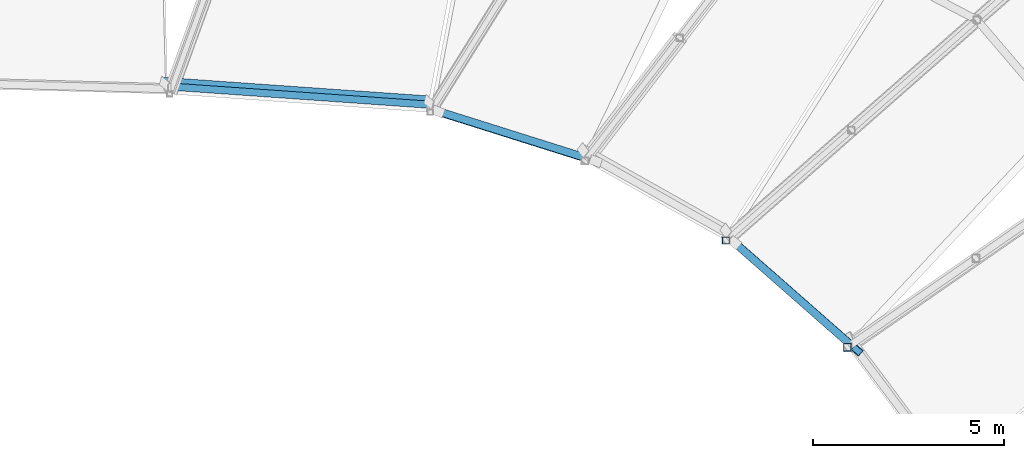
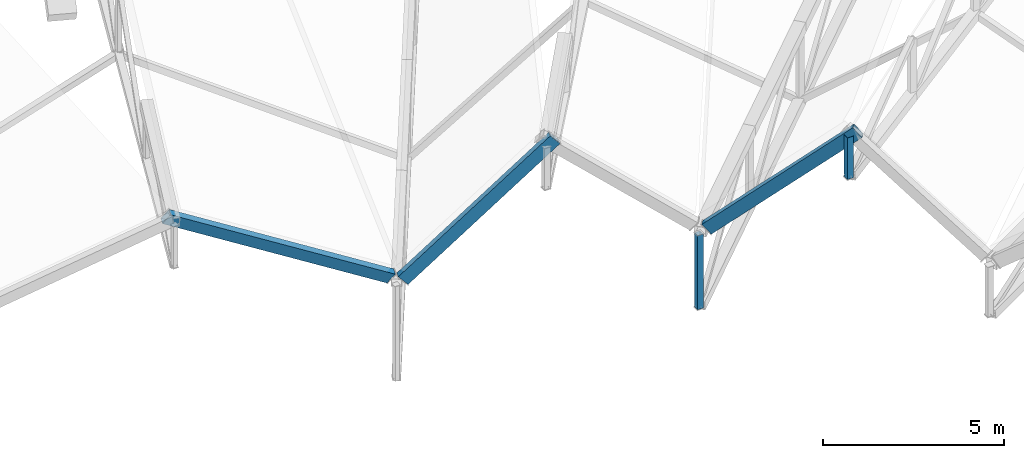
# One storey, part 184 of 344: 3 beams, 2 members.
"""IFC4 building model written with IfcOpenShell, lengths in metres."""

from ifc_helpers import new_model, si_unit, direction, frame, origin, origin_2d, place, context, subcontext, project, spatial, hollow_rectangle, extrude, material, material_profile, profile_set, type_object, element, save


model = new_model("IFC4")

# Units and contexts
model_context = context("Model", 3, precision=1e-05, world=origin(), true_north=direction((0.0, 1.0)))
body_context = subcontext(model_context, "Body", "Model", "MODEL_VIEW")
ifc_project = project(units=[si_unit("LENGTHUNIT", "METRE"), si_unit("AREAUNIT", "SQUARE_METRE"), si_unit("VOLUMEUNIT", "CUBIC_METRE"), si_unit("PLANEANGLEUNIT", "RADIAN"), si_unit("MASSUNIT", "GRAM", prefix="KILO")], contexts=[model_context])

# Site, building, storey
site_placement = place(None, origin())
site = spatial("IfcSite", under=ifc_project, at=site_placement, CompositionType="ELEMENT")
building_placement = place(site_placement, origin())
building = spatial("IfcBuilding", under=site, at=building_placement, Name="Meseta Stadium", CompositionType="ELEMENT")
storey_placement = place(building_placement, frame((0.0, 0.0, 24.0)))
storey = spatial("IfcBuildingStorey", under=building, at=storey_placement, Name="L04", CompositionType="ELEMENT", Elevation=24.0)

# Beams
ifc_material_1 = material(Name="Steel S355", Category="steel")
ifc_material_profile_1 = material_profile(ifc_material_1, hollow_rectangle(XDim=0.199951171875, YDim=0.39990234375, WallThickness=0.01611328125, at=origin_2d()), Name="RHS 400x200x16")
ifc_profile_set_1 = profile_set([ifc_material_profile_1], Name="Steel S355")
beam_type = type_object("IfcBeamType", Name="RHS 400x200x16 tip ring beam", PredefinedType="BEAM", material=ifc_profile_set_1)
beam_1_placement = place(storey_placement, frame((41.82958984375, 58.88818359375, 7.40087890625), z_axis=(-0.5573991358, 0.489817526643, -0.670361838116), x_axis=(-0.65163872877, -0.758429172946, -0.012335185099)))
element("IfcBeam", 1, at=beam_1_placement, inside=storey, type_object=beam_type, Name="TIP RING BEAM 13", PredefinedType="BEAM", context=body_context, shape_type="SweptSolid", body=[
    extrude(hollow_rectangle(XDim=0.199951171875, YDim=0.39990234375, WallThickness=0.01611328125, at=origin_2d()), origin(), (0.0, 0.0, 1.0), 5.7294921875),
])
beam_2_placement = place(storey_placement, frame((34.994873046875, 63.824951171875, 6.561279296875), z_axis=(-0.69026698527, 0.217462243499, -0.69010264577), x_axis=(-0.327082704871, -0.944534437686, 0.029522875863)))
element("IfcBeam", 2, at=beam_2_placement, inside=storey, type_object=beam_type, Name="TIP RING BEAM 15", PredefinedType="BEAM", context=body_context, shape_type="SweptSolid", body=[
    extrude(hollow_rectangle(XDim=0.199951171875, YDim=0.39990234375, WallThickness=0.01611328125, at=origin_2d()), origin(), (0.0, 0.0, 1.0), 5.9423828125),
])
beam_3_placement = place(storey_placement, frame((30.6474609375, 65.365478515625, 2.491455078125), z_axis=(-0.856531788007, 0.059994569959, 0.512595305977), x_axis=(-0.237457746173, -0.927657332442, -0.288211194005)))
element("IfcBeam", 3, at=beam_3_placement, inside=storey, type_object=beam_type, Name="TIP RING BEAM 16", PredefinedType="BEAM", context=body_context, shape_type="SweptSolid", body=[
    extrude(hollow_rectangle(XDim=0.199951171875, YDim=0.39990234375, WallThickness=0.01611328125, at=origin_2d()), origin(), (0.0, 0.0, 1.0), 8.041015625),
])

# Members
ifc_material_2 = material(Name="Steel S355", Category="steel")
ifc_material_profile_2 = material_profile(ifc_material_2, hollow_rectangle(XDim=0.179931640625, YDim=0.179931640625, WallThickness=0.00634765625, at=origin_2d()), Name="SHS 180x180x6.3")
ifc_profile_set_2 = profile_set([ifc_material_profile_2], Name="Steel S355")
member_type_1 = type_object("IfcMemberType", Name="SHS 180x180x6.3 rim post", PredefinedType="POST", material=ifc_profile_set_2)
member_1_placement = place(storey_placement, frame((38.40625, 61.752197265625, 0.9072265625), z_axis=(0.0, 0.0, 1.0), x_axis=(1.0, 0.0, 0.0)))
element("IfcMember", 4, at=member_1_placement, inside=storey, type_object=member_type_1, Name="ROOF TRUSS RT-13 post", PredefinedType="POST", context=body_context, shape_type="SweptSolid", body=[
    extrude(hollow_rectangle(XDim=0.179931640625, YDim=0.179931640625, WallThickness=0.00634765625, at=origin_2d()), origin(), (0.0, 0.0, 1.0), 2.49365234375),
])
ifc_material_3 = material(Name="Steel S355", Category="steel")
ifc_material_profile_3 = material_profile(ifc_material_3, hollow_rectangle(XDim=0.199951171875, YDim=0.199951171875, WallThickness=0.008056640625, at=origin_2d()), Name="SHS 200x200x8")
ifc_profile_set_3 = profile_set([ifc_material_profile_3], Name="Steel S355")
member_type_2 = type_object("IfcMemberType", Name="SHS 200x200x8 rim post", PredefinedType="POST", material=ifc_profile_set_3)
member_2_placement = place(storey_placement, frame((41.57958984375, 58.963623046875, 5.88916015625), z_axis=(0.0, 0.0, 1.0), x_axis=(1.0, 0.0, 0.0)))
element("IfcMember", 5, at=member_2_placement, inside=storey, type_object=member_type_2, Name="ROOF TRUSS RT-12 post", PredefinedType="POST", context=body_context, shape_type="SweptSolid", body=[
    extrude(hollow_rectangle(XDim=0.199951171875, YDim=0.199951171875, WallThickness=0.008056640625, at=origin_2d()), origin(), (0.0, 0.0, 1.0), 1.39990234375),
])

save(model, "model.ifc")
